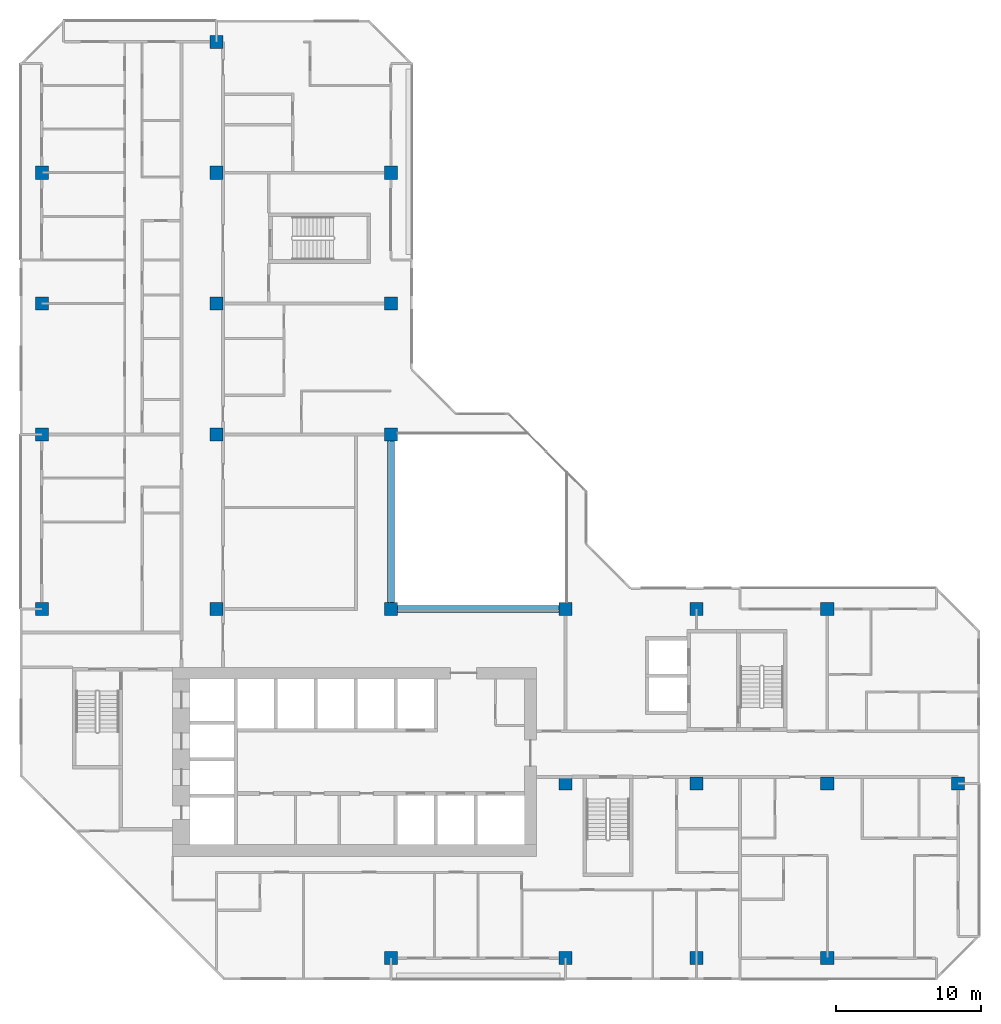
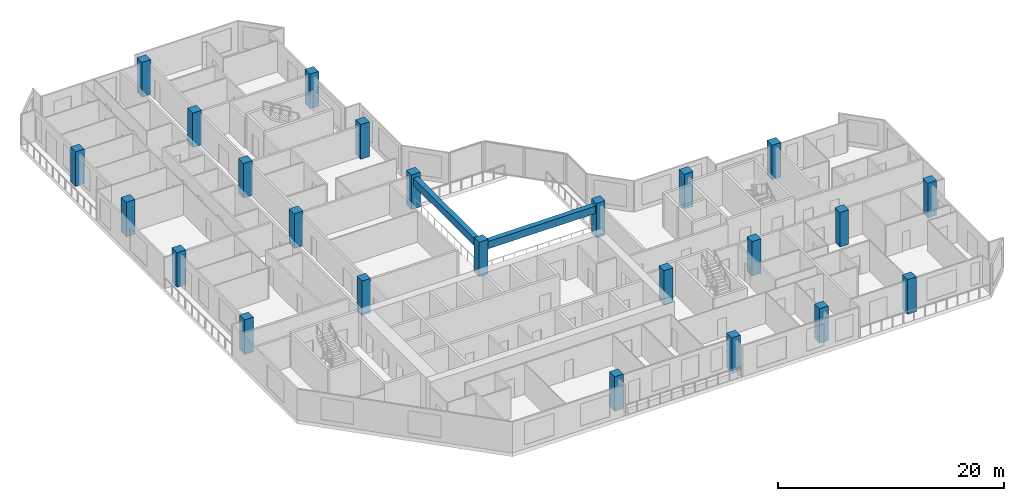
# One storey, part 1 of 15: 24 columns, 2 beams.
"""IFC4 building model written with IfcOpenShell, lengths in metres."""

import ifcopenshell
import ifcopenshell.guid

model = None  # the IFC model being written
_history = None  # IfcOwnerHistory: only IFC2X3 demands one
_inside = {}  # id of a spatial element -> (the spatial element, [elements in it])
_under = {}  # id of a project, library or spatial element -> (it, [spatial elements below it])
_declared = {}  # id of a project -> (the project, [libraries it declares])
_typed = {}  # id of a type object -> (the type object, [elements of that type])
_made_of = {}  # id of a material, layer set ... -> (it, [elements and type objects made of it])


def new_model(schema):
    """Start an empty IFC model of exactly this schema.

    Asked for "IFC4X3", IfcOpenShell would pick the latest addendum, in which some entities
    have other attributes; the version numbers below select the first issue.
    IFC2X3 requires an IfcOwnerHistory on every rooted entity: one is made here for all.
    """
    global model, _history
    if schema == "IFC4X3":
        model = ifcopenshell.file(schema_version=(4, 3, 0, 0))
    else:
        model = ifcopenshell.file(schema=schema)
    _inside.clear()
    _under.clear()
    _declared.clear()
    _typed.clear()
    _made_of.clear()
    _history = None
    if model.schema == "IFC2X3":
        org = make("IfcOrganization", Name="unknown")
        user = make(
            "IfcPersonAndOrganization",
            ThePerson=make("IfcPerson", FamilyName="unknown"),
            TheOrganization=org,
        )
        app = make(
            "IfcApplication",
            ApplicationDeveloper=org,
            Version="unknown",
            ApplicationFullName="unknown",
            ApplicationIdentifier="unknown",
        )
        _history = make(
            "IfcOwnerHistory",
            OwningUser=user,
            OwningApplication=app,
            ChangeAction="ADDED",
            CreationDate=0,
        )
    return model


def make(cls, **values):
    """One entity of the class cls with the attributes given. An attribute that is None is left unset."""
    return model.create_entity(
        cls, **{name: value for name, value in values.items() if value is not None}
    )


def rooted(cls, **values):
    """An entity with a GlobalId (a new one), such as an element, a storey or a relation."""
    return make(cls, GlobalId=ifcopenshell.guid.new(), OwnerHistory=_history, **values)


def si_unit(unit_type, name, prefix=None):
    """IfcSIUnit, for example si_unit("LENGTHUNIT", "METRE", prefix="MILLI")."""
    return make("IfcSIUnit", UnitType=unit_type, Prefix=prefix, Name=name)


def assignment(units):
    """IfcUnitAssignment: the units of a project."""
    return None if units is None else make("IfcUnitAssignment", Units=units)


def point(xyz):
    """IfcCartesianPoint."""
    return None if xyz is None else make("IfcCartesianPoint", Coordinates=xyz)


def direction(xyz):
    """IfcDirection."""
    return None if xyz is None else make("IfcDirection", DirectionRatios=xyz)


def frame(location, z_axis=None, x_axis=None):
    """IfcAxis2Placement3D, a coordinate frame: its origin and axes. An axis left out is left unset."""
    return make(
        "IfcAxis2Placement3D",
        Location=point(location),
        Axis=direction(z_axis),
        RefDirection=direction(x_axis),
    )


def frame_2d(location, x_axis=None):
    """IfcAxis2Placement2D, a coordinate frame in the plane: its origin and x axis."""
    return make(
        "IfcAxis2Placement2D", Location=point(location), RefDirection=direction(x_axis)
    )


def origin():
    """The frame at (0, 0, 0) with its axes left unset."""
    return frame((0.0, 0.0, 0.0))


def origin_2d():
    """The frame at (0, 0) in the plane with its x axis left unset."""
    return frame_2d((0.0, 0.0))


def place(relative_to, where):
    """IfcLocalPlacement: puts the frame where relative to a parent placement (None: the world)."""
    return make(
        "IfcLocalPlacement", PlacementRelTo=relative_to, RelativePlacement=where
    )


def context(
    kind, dimensions, precision=None, world=None, true_north=None, identifier=None
):
    """IfcGeometricRepresentationContext, for example the 3D "Model" context."""
    return make(
        "IfcGeometricRepresentationContext",
        ContextIdentifier=identifier,
        ContextType=kind,
        CoordinateSpaceDimension=dimensions,
        Precision=precision,
        WorldCoordinateSystem=world,
        TrueNorth=true_north,
    )


def subcontext(parent, identifier, kind, view, scale=None):
    """IfcGeometricRepresentationSubContext, for example "Body" below "Model"."""
    return make(
        "IfcGeometricRepresentationSubContext",
        ContextIdentifier=identifier,
        ContextType=kind,
        ParentContext=parent,
        TargetScale=scale,
        TargetView=view,
    )


def project(units=None, contexts=None):
    """IfcProject with its units and contexts."""
    return rooted(
        "IfcProject",
        Name="project",
        RepresentationContexts=contexts,
        UnitsInContext=assignment(units),
    )


def spatial(cls, under=None, at=None, **own):
    """A site, building, storey or space (cls), placed at a placement, below another one or the project."""
    s = rooted(cls, ObjectPlacement=at, **own)
    if under is not None:
        _under.setdefault(under.id(), (under, []))[1].append(s)
    return s


def profile(cls, at=None, kind="AREA", **sizes):
    """A parametric profile (cls). Its sizes go by their IFC names, for example OverallWidth=200.0."""
    return make(cls, ProfileType=kind, Position=at, **sizes)


def rectangle(**sizes):
    """IfcRectangleProfileDef."""
    return profile("IfcRectangleProfileDef", **sizes)


def extrude(swept, where, along, depth):
    """IfcExtrudedAreaSolid: the profile swept, set in the frame where, extruded along a direction by depth."""
    return make(
        "IfcExtrudedAreaSolid",
        SweptArea=swept,
        Position=where,
        ExtrudedDirection=direction(along),
        Depth=depth,
    )


def shape(context_of_items, identifier, shape_type, items):
    """IfcShapeRepresentation: the items that make up one representation, for example the "Body"."""
    return make(
        "IfcShapeRepresentation",
        ContextOfItems=context_of_items,
        RepresentationIdentifier=identifier,
        RepresentationType=shape_type,
        Items=items,
    )


def material(Name=None, Category=None):
    """IfcMaterial."""
    return make("IfcMaterial", Name=Name, Category=Category)


def material_profile(
    of_material, cross_section, Name=None, Category=None, Priority=None
):
    """IfcMaterialProfile: a cross section and its material."""
    return make(
        "IfcMaterialProfile",
        Name=Name,
        Material=of_material,
        Profile=cross_section,
        Priority=Priority,
        Category=Category,
    )


def profile_set(profiles, Name=None, composite=None):
    """IfcMaterialProfileSet."""
    return make(
        "IfcMaterialProfileSet",
        Name=Name,
        MaterialProfiles=profiles,
        CompositeProfile=composite,
    )


def made_of(thing, what):
    """Note that an element or type object is made of a material, layer set ...; save() writes the relation."""
    if what is not None:
        _made_of.setdefault(what.id(), (what, []))[1].append(thing)
    return thing


def type_object(cls, material=None, **own):
    """A type object (cls), such as IfcWallType, which elements share."""
    return made_of(rooted(cls, **own), material)


def element(
    cls,
    number,
    at=None,
    inside=None,
    cuts=None,
    type_object=None,
    material=None,
    context=None,
    identifier="Body",
    shape_type=None,
    held_by="IfcProductDefinitionShape",
    body=None,
    shapes=None,
    **own,
):
    """One element of the class cls, such as IfcWall. Its Tag is "e" and its number.

    at: its placement. inside: the storey or other place that contains it. cuts: it is an
    opening in that element (IfcRelVoidsElement). A single representation is given by context,
    identifier, shape_type and body (its items); several are given by shapes. held_by: the class
    of the entity that holds the representations. save() writes the other relations.
    """
    e = rooted(cls, Tag="e%d" % number, ObjectPlacement=at, **own)
    if body is not None:
        shapes = [shape(context, identifier, shape_type, body)]
    if shapes is not None:
        e.Representation = make(held_by, Representations=shapes)
    if inside is not None:
        _inside.setdefault(inside.id(), (inside, []))[1].append(e)
    if cuts is not None:
        rooted(
            "IfcRelVoidsElement", RelatingBuildingElement=cuts, RelatedOpeningElement=e
        )
    if type_object is not None:
        _typed.setdefault(type_object.id(), (type_object, []))[1].append(e)
    return made_of(e, material)


def aggregate(whole, parts):
    """IfcRelAggregates: a whole, such as a stair, and the parts it consists of."""
    return rooted("IfcRelAggregates", RelatingObject=whole, RelatedObjects=parts)


def save(model, path):
    """Write the relations noted so far, then the file.

    IfcRelAggregates (storeys below a building ...), IfcRelContainedInSpatialStructure (elements
    in a storey), IfcRelDefinesByType, IfcRelAssociatesMaterial and IfcRelDeclares: one each for
    every whole, place, type object, material and project.
    """
    for whole, parts in _under.values():
        aggregate(whole, parts)
    for where, things in _inside.values():
        rooted(
            "IfcRelContainedInSpatialStructure",
            RelatedElements=things,
            RelatingStructure=where,
        )
    for kind, things in _typed.values():
        rooted("IfcRelDefinesByType", RelatedObjects=things, RelatingType=kind)
    for what, things in _made_of.values():
        rooted("IfcRelAssociatesMaterial", RelatedObjects=things, RelatingMaterial=what)
    for by, libraries in _declared.values():
        rooted("IfcRelDeclares", RelatingContext=by, RelatedDefinitions=libraries)
    model.write(path)


model = new_model("IFC4")

# Units and contexts
model_context = context("Model", 3, precision=1e-05, world=origin(), true_north=direction((0.0, 1.0)))
body_context = subcontext(model_context, "Body", "Model", "MODEL_VIEW")
ifc_project = project(units=[si_unit("LENGTHUNIT", "METRE"), si_unit("AREAUNIT", "SQUARE_METRE"), si_unit("VOLUMEUNIT", "CUBIC_METRE"), si_unit("PLANEANGLEUNIT", "RADIAN"), si_unit("MASSUNIT", "GRAM", prefix="KILO")], contexts=[model_context])

# Site, building, storey
site_placement = place(None, origin())
site = spatial("IfcSite", under=ifc_project, at=site_placement, CompositionType="ELEMENT")
building_placement = place(site_placement, origin())
building = spatial("IfcBuilding", under=site, at=building_placement, Name="Chenar Terraces", CompositionType="ELEMENT")
storey_placement = place(building_placement, frame((0.0, 0.0, 191.14990234375)))
storey = spatial("IfcBuildingStorey", under=building, at=storey_placement, Name="L44", CompositionType="ELEMENT", Elevation=191.14990234375)

# Columns
ifc_material_1 = material(Name="Concrete C60/75", Category="concrete")
ifc_material_profile_1 = material_profile(ifc_material_1, rectangle(XDim=0.89990234375, YDim=0.89990234375, at=origin_2d()), Name="C 900 x 900")
ifc_profile_set_1 = profile_set([ifc_material_profile_1], Name="Concrete C60/75")
column_type = type_object("IfcColumnType", Name="Column C 900 x 900 Concrete C60/75", PredefinedType="COLUMN", material=ifc_profile_set_1)
column_1_placement = place(storey_placement, frame((0.0, 24.0, 0.0), z_axis=(0.0, 0.0, 1.0), x_axis=(1.0, 0.0, 0.0)))
element("IfcColumn", 1, at=column_1_placement, inside=storey, type_object=column_type, Name="Column 5/G L44", PredefinedType="COLUMN", context=body_context, shape_type="SweptSolid", body=[
    extrude(rectangle(XDim=0.89990234375, YDim=0.89990234375, at=origin_2d()), origin(), (0.0, 0.0, 1.0), 3.75),
])
column_2_placement = place(storey_placement, frame((0.0, 36.0, 0.0), z_axis=(0.0, 0.0, 1.0), x_axis=(1.0, 0.0, 0.0)))
element("IfcColumn", 2, at=column_2_placement, inside=storey, type_object=column_type, Name="Column 5/H L44", PredefinedType="COLUMN", context=body_context, shape_type="SweptSolid", body=[
    extrude(rectangle(XDim=0.89990234375, YDim=0.89990234375, at=origin_2d()), origin(), (0.0, 0.0, 1.0), 3.75),
])
column_3_placement = place(storey_placement, frame((0.0, 45.0, 0.0), z_axis=(0.0, 0.0, 1.0), x_axis=(1.0, 0.0, 0.0)))
element("IfcColumn", 3, at=column_3_placement, inside=storey, type_object=column_type, Name="Column 5/J L44", PredefinedType="COLUMN", context=body_context, shape_type="SweptSolid", body=[
    extrude(rectangle(XDim=0.89990234375, YDim=0.89990234375, at=origin_2d()), origin(), (0.0, 0.0, 1.0), 3.75),
])
for number, where, z_axis, x_axis, name in (
    (4, (0.0, 54.0, 0.0), (0.0, 0.0, 1.0), (1.0, 0.0, 0.0), "Column 5/K L44"),
    (5, (12.0, 24.0, 0.0), (0.0, 0.0, 1.0), (1.0, 0.0, 0.0), "Column 6/G L44"),
    (6, (12.0, 36.0, 0.0), (0.0, 0.0, 1.0), (1.0, 0.0, 0.0), "Column 6/H L44"),
    (7, (12.0, 45.0, 0.0), (0.0, 0.0, 1.0), (1.0, 0.0, 0.0), "Column 6/J L44"),
    (8, (12.0, 54.0, 0.0), (0.0, 0.0, 1.0), (1.0, 0.0, 0.0), "Column 6/K L44"),
    (9, (12.0, 63.0, 0.0), (0.0, 0.0, 1.0), (1.0, 0.0, 0.0), "Column 6/L L44"),
    (10, (24.0, 0.0, 0.0), (0.0, 0.0, 1.0), (1.0, 0.0, 0.0), "Column 7/E L44"),
    (11, (24.0, 24.0, 0.0), (0.0, 0.0, 1.0), (1.0, 0.0, 0.0), "Column 7/G L44"),
    (12, (24.0, 36.0, 0.0), (0.0, 0.0, 1.0), (1.0, 0.0, 0.0), "Column 7/H L44"),
    (13, (24.0, 45.0, 0.0), (0.0, 0.0, 1.0), (1.0, 0.0, 0.0), "Column 7/J L44"),
    (14, (24.0, 54.0, 0.0), (0.0, 0.0, 1.0), (1.0, 0.0, 0.0), "Column 7/K L44"),
    (15, (36.0, 0.0, 0.0), (0.0, 0.0, 1.0), (1.0, 0.0, 0.0), "Column 8/E L44"),
    (16, (36.0, 12.0, 0.0), (0.0, 0.0, 1.0), (1.0, 0.0, 0.0), "Column 8/F L44"),
    (17, (36.0, 24.0, 0.0), (0.0, 0.0, 1.0), (1.0, 0.0, 0.0), "Column 8/G L44"),
    (18, (45.0, 0.0, 0.0), (0.0, 0.0, 1.0), (1.0, 0.0, 0.0), "Column 9/E L44"),
    (19, (45.0, 12.0, 0.0), (0.0, 0.0, 1.0), (1.0, 0.0, 0.0), "Column 9/F L44"),
    (20, (45.0, 24.0, 0.0), (0.0, 0.0, 1.0), (1.0, 0.0, 0.0), "Column 9/G L44"),
    (21, (54.0, 0.0, 0.0), (0.0, 0.0, 1.0), (1.0, 0.0, 0.0), "Column 10/E L44"),
    (22, (54.0, 12.0, 0.0), (0.0, 0.0, 1.0), (1.0, 0.0, 0.0), "Column 10/F L44"),
    (23, (54.0, 24.0, 0.0), (0.0, 0.0, 1.0), (1.0, 0.0, 0.0), "Column 10/G L44"),
    (24, (63.0, 12.0, 0.0), (0.0, 0.0, 1.0), (1.0, 0.0, 0.0), "Column 11/F L44"),
):
    element("IfcColumn", number, at=place(storey_placement, frame(where, z_axis=z_axis, x_axis=x_axis)), inside=storey, type_object=column_type, Name=name, PredefinedType="COLUMN", context=body_context, shape_type="SweptSolid", body=[
        extrude(rectangle(XDim=0.89990234375, YDim=0.89990234375, at=origin_2d()), origin(), (0.0, 0.0, 1.0), 3.75),
    ])

# Beams
ifc_material_2 = material(Name="Concrete C40/50", Category="concrete")
ifc_material_profile_2 = material_profile(ifc_material_2, rectangle(XDim=0.5, YDim=0.800048828125, at=origin_2d()), Name="RC 500 x 800")
ifc_profile_set_2 = profile_set([ifc_material_profile_2], Name="Concrete C40/50")
beam_type = type_object("IfcBeamType", Name="Atrium edge beam 500 x 800 Concrete C40/50", PredefinedType="BEAM", material=ifc_profile_set_2)
for number, where, z_axis, x_axis, name in (
    (25, (24.449951171875, 24.0, 2.9501953125), (1.0, 0.0, 0.0), (0.0, 1.0, 0.0), "Atrium edge beam L45 1"),
    (26, (24.0, 35.550048828125, 2.9501953125), (0.0, -1.0, 0.0), (1.0, 0.0, 0.0), "Atrium edge beam L45 4"),
):
    element("IfcBeam", number, at=place(storey_placement, frame(where, z_axis=z_axis, x_axis=x_axis)), inside=storey, type_object=beam_type, Name=name, PredefinedType="BEAM", context=body_context, shape_type="SweptSolid", body=[
        extrude(rectangle(XDim=0.5, YDim=0.800048828125, at=origin_2d()), origin(), (0.0, 0.0, 1.0), 11.10009765625),
    ])

save(model, "model.ifc")
